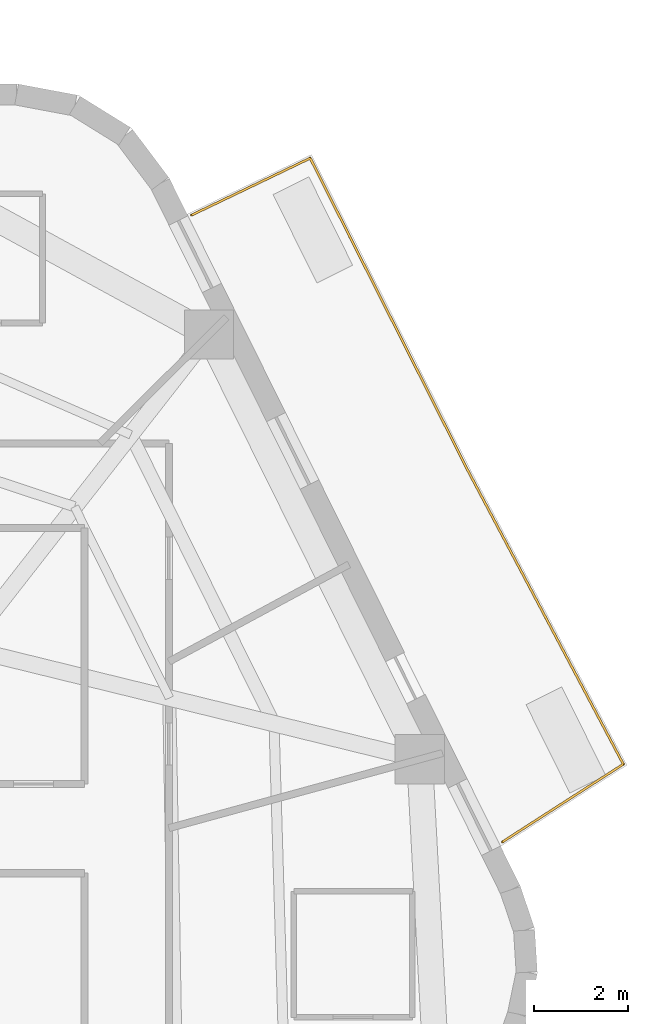
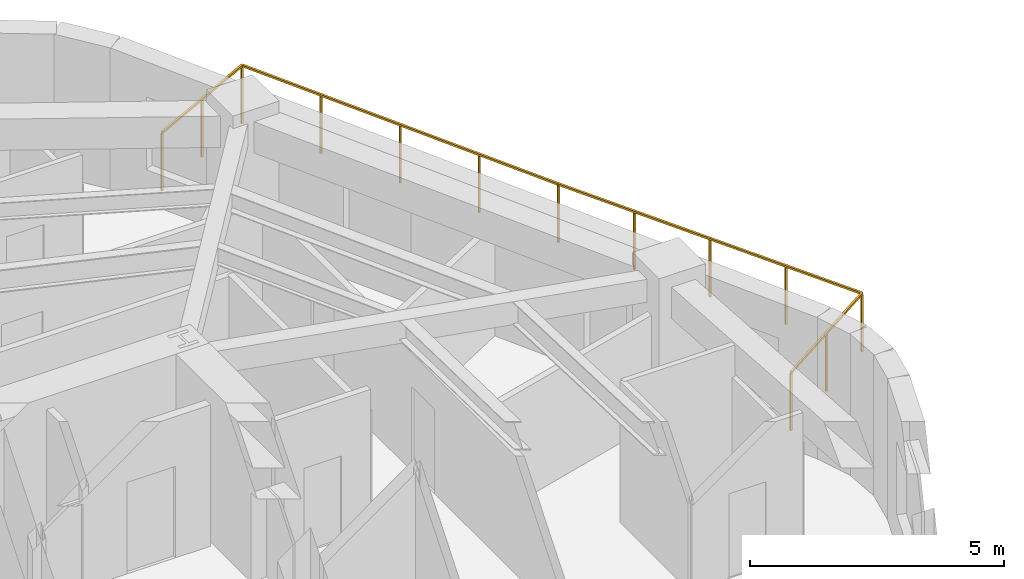
# One storey, part 10 of 10: 1 railing.
"""IFC4 building model written with IfcOpenShell, lengths in metres."""

from ifc_helpers import new_model, si_unit, direction, frame, origin, origin_2d, place, context, subcontext, project, spatial, rectangle, extrude, material, layer, layer_set, type_object, element, save


model = new_model("IFC4")

# Units and contexts
model_context = context("Model", 3, precision=1e-05, world=origin(), true_north=direction((0.0, 1.0)))
body_context = subcontext(model_context, "Body", "Model", "MODEL_VIEW")
ifc_project = project(units=[si_unit("LENGTHUNIT", "METRE"), si_unit("AREAUNIT", "SQUARE_METRE"), si_unit("VOLUMEUNIT", "CUBIC_METRE"), si_unit("PLANEANGLEUNIT", "RADIAN"), si_unit("MASSUNIT", "GRAM", prefix="KILO")], contexts=[model_context])

# Site, building, storey
site_placement = place(None, origin())
site = spatial("IfcSite", under=ifc_project, at=site_placement, CompositionType="ELEMENT")
building_placement = place(site_placement, origin())
building = spatial("IfcBuilding", under=site, at=building_placement, Name="Kilnhurst Terrace Hotel", CompositionType="ELEMENT")
storey_placement = place(building_placement, frame((0.0, 0.0, 186.699951171875)))
storey = spatial("IfcBuildingStorey", under=building, at=storey_placement, Name="L46", CompositionType="ELEMENT", Elevation=186.699951171875)

# Railing
ifc_material = material(Name="Laminated SentryGlas and Stainless Steel AISI 316L Balustrade", Category="steel")
ifc_layer = layer(ifc_material, 0.070068359375, Name="Laminated SentryGlas and Stainless Steel AISI 316L Balustrade")
ifc_layer_set = layer_set([ifc_layer], Name="Laminated SentryGlas and Stainless Steel AISI 316L Balustrade")
railing_type = type_object("IfcRailingType", Name="RLG-BAL-1420", PredefinedType="BALUSTRADE", material=ifc_layer_set)
railing_placement = place(storey_placement, frame((13.83544921875, 16.709716796875, 0.0)))
element("IfcRailing", 1, at=railing_placement, inside=storey, type_object=railing_type, Name="L46 Exterior Terrace Guardrail BAL-L1A.1", PredefinedType="BALUSTRADE", context=body_context, shape_type="SweptSolid", body=[
    extrude(rectangle(XDim=0.048095703125, YDim=0.048095703125, at=origin_2d()), frame((0.0, 0.0, 1.39599609375), z_axis=(0.901469931109, 0.43284173009, 0.0), x_axis=(-0.43284173009, 0.901469931109, 0.0)), (0.0, 0.0, 1.0), 2.797119140625),
    extrude(rectangle(XDim=0.048095703125, YDim=0.048095703125, at=origin_2d()), frame((2.521484375, 1.210693359375, 1.39599609375), z_axis=(0.450616671131, -0.892717545307, 0.0), x_axis=(0.892717545307, 0.450616671131, 0.0)), (0.0, 0.0, 1.0), 7.453857421875),
    extrude(rectangle(XDim=0.048095703125, YDim=0.048095703125, at=origin_2d()), frame((5.88037109375, -5.443603515625, 1.39599609375), z_axis=(0.4472135955, -0.894427191, 0.0), x_axis=(0.894427191, 0.4472135955, 0.0)), (0.0, 0.0, 1.0), 0.0009765625),
    extrude(rectangle(XDim=0.048095703125, YDim=0.048095703125, at=origin_2d()), frame((5.880859375, -5.444580078125, 1.39599609375), z_axis=(0.46789407085, -0.883784554325, 0.0), x_axis=(0.883784554325, 0.46789407085, 0.0)), (0.0, 0.0, 1.0), 7.0654296875),
    extrude(rectangle(XDim=0.048095703125, YDim=0.048095703125, at=origin_2d()), frame((9.186767578125, -11.68896484375, 1.39599609375), z_axis=(-0.841139546062, -0.540818143233, 0.0), x_axis=(0.540818143233, -0.841139546062, 0.0)), (0.0, 0.0, 1.0), 3.056640625),
    extrude(rectangle(XDim=0.0419921875, YDim=0.0419921875, at=origin_2d()), origin(), (0.0, 0.0, 1.0), 1.371826171875),
    extrude(rectangle(XDim=0.0419921875, YDim=0.0419921875, at=origin_2d()), frame((1.2607421875, 0.60546875, 0.0)), (0.0, 0.0, 1.0), 1.371826171875),
    extrude(rectangle(XDim=0.0419921875, YDim=0.0419921875, at=origin_2d()), frame((2.521484375, 1.210693359375, 0.0)), (0.0, 0.0, 1.0), 1.371826171875),
    extrude(rectangle(XDim=0.0419921875, YDim=0.0419921875, at=origin_2d()), frame((3.361328125, -0.452880859375, 0.0)), (0.0, 0.0, 1.0), 1.371826171875),
    extrude(rectangle(XDim=0.0419921875, YDim=0.0419921875, at=origin_2d()), frame((4.200927734375, -2.116455078125, 0.0)), (0.0, 0.0, 1.0), 1.371826171875),
    extrude(rectangle(XDim=0.0419921875, YDim=0.0419921875, at=origin_2d()), frame((5.04052734375, -3.780029296875, 0.0)), (0.0, 0.0, 1.0), 1.371826171875),
    extrude(rectangle(XDim=0.0419921875, YDim=0.0419921875, at=origin_2d()), frame((5.88037109375, -5.443603515625, 0.0)), (0.0, 0.0, 1.0), 1.371826171875),
    extrude(rectangle(XDim=0.0419921875, YDim=0.0419921875, at=origin_2d()), frame((5.880859375, -5.444580078125, 0.0)), (0.0, 0.0, 1.0), 1.371826171875),
    extrude(rectangle(XDim=0.0419921875, YDim=0.0419921875, at=origin_2d()), frame((6.707275390625, -7.005615234375, 0.0)), (0.0, 0.0, 1.0), 1.371826171875),
    extrude(rectangle(XDim=0.0419921875, YDim=0.0419921875, at=origin_2d()), frame((7.53369140625, -8.56689453125, 0.0)), (0.0, 0.0, 1.0), 1.371826171875),
    extrude(rectangle(XDim=0.0419921875, YDim=0.0419921875, at=origin_2d()), frame((8.3603515625, -10.1279296875, 0.0)), (0.0, 0.0, 1.0), 1.371826171875),
    extrude(rectangle(XDim=0.0419921875, YDim=0.0419921875, at=origin_2d()), frame((9.186767578125, -11.68896484375, 0.0)), (0.0, 0.0, 1.0), 1.371826171875),
    extrude(rectangle(XDim=0.0419921875, YDim=0.0419921875, at=origin_2d()), frame((7.9013671875, -12.515625, 0.0)), (0.0, 0.0, 1.0), 1.371826171875),
    extrude(rectangle(XDim=0.0419921875, YDim=0.0419921875, at=origin_2d()), frame((6.61572265625, -13.342041015625, 0.0)), (0.0, 0.0, 1.0), 1.371826171875),
])

save(model, "model.ifc")
